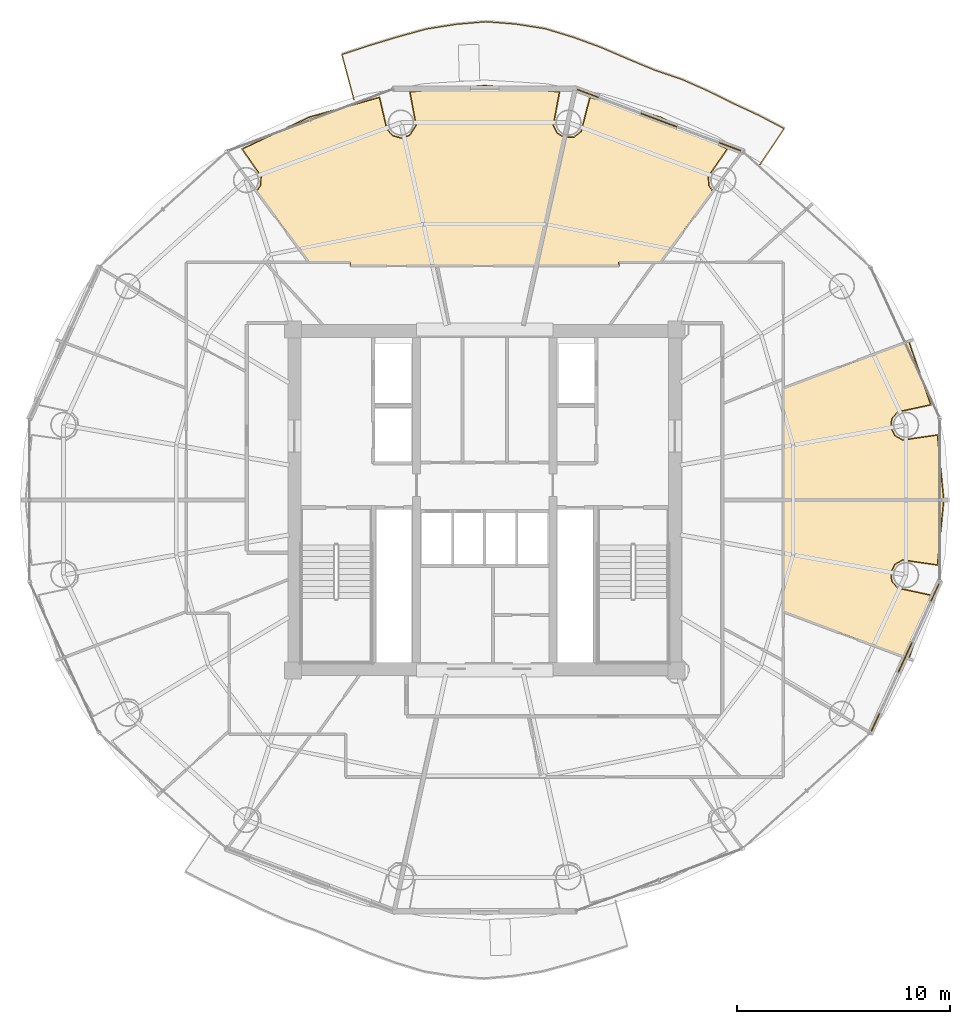
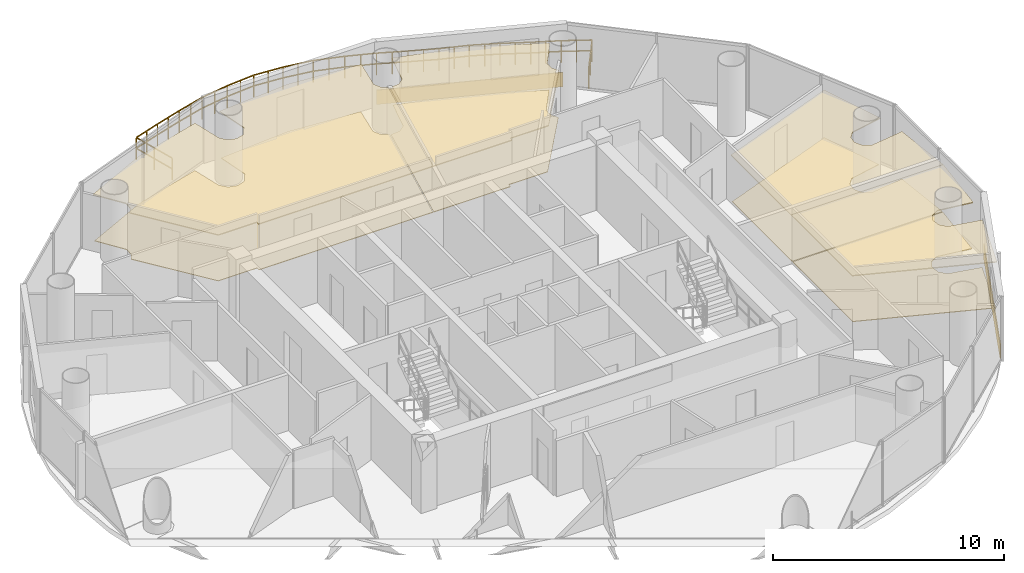
# One storey, part 26 of 26: 10 coverings, 1 railing.
"""IFC4 building model written with IfcOpenShell, lengths in metres."""

import ifcopenshell
import ifcopenshell.guid

model = None  # the IFC model being written
_history = None  # IfcOwnerHistory: only IFC2X3 demands one
_inside = {}  # id of a spatial element -> (the spatial element, [elements in it])
_under = {}  # id of a project, library or spatial element -> (it, [spatial elements below it])
_declared = {}  # id of a project -> (the project, [libraries it declares])
_typed = {}  # id of a type object -> (the type object, [elements of that type])
_made_of = {}  # id of a material, layer set ... -> (it, [elements and type objects made of it])


def new_model(schema):
    """Start an empty IFC model of exactly this schema.

    Asked for "IFC4X3", IfcOpenShell would pick the latest addendum, in which some entities
    have other attributes; the version numbers below select the first issue.
    IFC2X3 requires an IfcOwnerHistory on every rooted entity: one is made here for all.
    """
    global model, _history
    if schema == "IFC4X3":
        model = ifcopenshell.file(schema_version=(4, 3, 0, 0))
    else:
        model = ifcopenshell.file(schema=schema)
    _inside.clear()
    _under.clear()
    _declared.clear()
    _typed.clear()
    _made_of.clear()
    _history = None
    if model.schema == "IFC2X3":
        org = make("IfcOrganization", Name="unknown")
        user = make(
            "IfcPersonAndOrganization",
            ThePerson=make("IfcPerson", FamilyName="unknown"),
            TheOrganization=org,
        )
        app = make(
            "IfcApplication",
            ApplicationDeveloper=org,
            Version="unknown",
            ApplicationFullName="unknown",
            ApplicationIdentifier="unknown",
        )
        _history = make(
            "IfcOwnerHistory",
            OwningUser=user,
            OwningApplication=app,
            ChangeAction="ADDED",
            CreationDate=0,
        )
    return model


def make(cls, **values):
    """One entity of the class cls with the attributes given. An attribute that is None is left unset."""
    return model.create_entity(
        cls, **{name: value for name, value in values.items() if value is not None}
    )


def rooted(cls, **values):
    """An entity with a GlobalId (a new one), such as an element, a storey or a relation."""
    return make(cls, GlobalId=ifcopenshell.guid.new(), OwnerHistory=_history, **values)


def si_unit(unit_type, name, prefix=None):
    """IfcSIUnit, for example si_unit("LENGTHUNIT", "METRE", prefix="MILLI")."""
    return make("IfcSIUnit", UnitType=unit_type, Prefix=prefix, Name=name)


def assignment(units):
    """IfcUnitAssignment: the units of a project."""
    return None if units is None else make("IfcUnitAssignment", Units=units)


def point(xyz):
    """IfcCartesianPoint."""
    return None if xyz is None else make("IfcCartesianPoint", Coordinates=xyz)


def direction(xyz):
    """IfcDirection."""
    return None if xyz is None else make("IfcDirection", DirectionRatios=xyz)


def frame(location, z_axis=None, x_axis=None):
    """IfcAxis2Placement3D, a coordinate frame: its origin and axes. An axis left out is left unset."""
    return make(
        "IfcAxis2Placement3D",
        Location=point(location),
        Axis=direction(z_axis),
        RefDirection=direction(x_axis),
    )


def frame_2d(location, x_axis=None):
    """IfcAxis2Placement2D, a coordinate frame in the plane: its origin and x axis."""
    return make(
        "IfcAxis2Placement2D", Location=point(location), RefDirection=direction(x_axis)
    )


def origin():
    """The frame at (0, 0, 0) with its axes left unset."""
    return frame((0.0, 0.0, 0.0))


def origin_2d():
    """The frame at (0, 0) in the plane with its x axis left unset."""
    return frame_2d((0.0, 0.0))


def place(relative_to, where):
    """IfcLocalPlacement: puts the frame where relative to a parent placement (None: the world)."""
    return make(
        "IfcLocalPlacement", PlacementRelTo=relative_to, RelativePlacement=where
    )


def context(
    kind, dimensions, precision=None, world=None, true_north=None, identifier=None
):
    """IfcGeometricRepresentationContext, for example the 3D "Model" context."""
    return make(
        "IfcGeometricRepresentationContext",
        ContextIdentifier=identifier,
        ContextType=kind,
        CoordinateSpaceDimension=dimensions,
        Precision=precision,
        WorldCoordinateSystem=world,
        TrueNorth=true_north,
    )


def subcontext(parent, identifier, kind, view, scale=None):
    """IfcGeometricRepresentationSubContext, for example "Body" below "Model"."""
    return make(
        "IfcGeometricRepresentationSubContext",
        ContextIdentifier=identifier,
        ContextType=kind,
        ParentContext=parent,
        TargetScale=scale,
        TargetView=view,
    )


def project(units=None, contexts=None):
    """IfcProject with its units and contexts."""
    return rooted(
        "IfcProject",
        Name="project",
        RepresentationContexts=contexts,
        UnitsInContext=assignment(units),
    )


def spatial(cls, under=None, at=None, **own):
    """A site, building, storey or space (cls), placed at a placement, below another one or the project."""
    s = rooted(cls, ObjectPlacement=at, **own)
    if under is not None:
        _under.setdefault(under.id(), (under, []))[1].append(s)
    return s


def polyline(points):
    """IfcPolyline through the points."""
    return make("IfcPolyline", Points=[point(p) for p in points])


def profile(cls, at=None, kind="AREA", **sizes):
    """A parametric profile (cls). Its sizes go by their IFC names, for example OverallWidth=200.0."""
    return make(cls, ProfileType=kind, Position=at, **sizes)


def rectangle(**sizes):
    """IfcRectangleProfileDef."""
    return profile("IfcRectangleProfileDef", **sizes)


def outline(outer, holes=None, kind="AREA"):
    """IfcArbitraryClosedProfileDef: a profile drawn as a closed curve; with holes, ...WithVoids."""
    if holes is None:
        return make("IfcArbitraryClosedProfileDef", ProfileType=kind, OuterCurve=outer)
    return make(
        "IfcArbitraryProfileDefWithVoids",
        ProfileType=kind,
        OuterCurve=outer,
        InnerCurves=holes,
    )


def extrude(swept, where, along, depth):
    """IfcExtrudedAreaSolid: the profile swept, set in the frame where, extruded along a direction by depth."""
    return make(
        "IfcExtrudedAreaSolid",
        SweptArea=swept,
        Position=where,
        ExtrudedDirection=direction(along),
        Depth=depth,
    )


def shape(context_of_items, identifier, shape_type, items):
    """IfcShapeRepresentation: the items that make up one representation, for example the "Body"."""
    return make(
        "IfcShapeRepresentation",
        ContextOfItems=context_of_items,
        RepresentationIdentifier=identifier,
        RepresentationType=shape_type,
        Items=items,
    )


def source(mapping_origin, context_of_items, identifier, shape_type, items):
    """IfcRepresentationMap: a shape defined once, which mapped items show again and again."""
    return make(
        "IfcRepresentationMap",
        MappingOrigin=mapping_origin,
        MappedRepresentation=shape(context_of_items, identifier, shape_type, items),
    )


def transform(
    local_origin,
    x_axis=None,
    y_axis=None,
    z_axis=None,
    scale=None,
    scale2=None,
    scale3=None,
    uniform=True,
):
    """IfcCartesianTransformationOperator3D, or its non-uniform kind. x_axis, y_axis, z_axis: its Axis1, 2, 3."""
    if uniform:
        return make(
            "IfcCartesianTransformationOperator3D",
            Axis1=direction(x_axis),
            Axis2=direction(y_axis),
            LocalOrigin=point(local_origin),
            Scale=scale,
            Axis3=direction(z_axis),
        )
    return make(
        "IfcCartesianTransformationOperator3DnonUniform",
        Axis1=direction(x_axis),
        Axis2=direction(y_axis),
        LocalOrigin=point(local_origin),
        Scale=scale,
        Axis3=direction(z_axis),
        Scale2=scale2,
        Scale3=scale3,
    )


def mapped(mapping_source, mapping_target):
    """IfcMappedItem: shows the shape of a source again, moved by a transform."""
    return make(
        "IfcMappedItem", MappingSource=mapping_source, MappingTarget=mapping_target
    )


def material(Name=None, Category=None):
    """IfcMaterial."""
    return make("IfcMaterial", Name=Name, Category=Category)


def layer(
    of_material, thickness, ventilated=None, Name=None, Category=None, Priority=None
):
    """IfcMaterialLayer: one layer of a wall or slab, of a material (None: an air gap)."""
    return make(
        "IfcMaterialLayer",
        Material=of_material,
        LayerThickness=thickness,
        IsVentilated=ventilated,
        Name=Name,
        Category=Category,
        Priority=Priority,
    )


def layer_set(layers, Name=None):
    """IfcMaterialLayerSet."""
    return make("IfcMaterialLayerSet", MaterialLayers=layers, LayerSetName=Name)


def made_of(thing, what):
    """Note that an element or type object is made of a material, layer set ...; save() writes the relation."""
    if what is not None:
        _made_of.setdefault(what.id(), (what, []))[1].append(thing)
    return thing


def type_object(cls, material=None, **own):
    """A type object (cls), such as IfcWallType, which elements share."""
    return made_of(rooted(cls, **own), material)


def element(
    cls,
    number,
    at=None,
    inside=None,
    cuts=None,
    type_object=None,
    material=None,
    context=None,
    identifier="Body",
    shape_type=None,
    held_by="IfcProductDefinitionShape",
    body=None,
    shapes=None,
    **own,
):
    """One element of the class cls, such as IfcWall. Its Tag is "e" and its number.

    at: its placement. inside: the storey or other place that contains it. cuts: it is an
    opening in that element (IfcRelVoidsElement). A single representation is given by context,
    identifier, shape_type and body (its items); several are given by shapes. held_by: the class
    of the entity that holds the representations. save() writes the other relations.
    """
    e = rooted(cls, Tag="e%d" % number, ObjectPlacement=at, **own)
    if body is not None:
        shapes = [shape(context, identifier, shape_type, body)]
    if shapes is not None:
        e.Representation = make(held_by, Representations=shapes)
    if inside is not None:
        _inside.setdefault(inside.id(), (inside, []))[1].append(e)
    if cuts is not None:
        rooted(
            "IfcRelVoidsElement", RelatingBuildingElement=cuts, RelatedOpeningElement=e
        )
    if type_object is not None:
        _typed.setdefault(type_object.id(), (type_object, []))[1].append(e)
    return made_of(e, material)


def aggregate(whole, parts):
    """IfcRelAggregates: a whole, such as a stair, and the parts it consists of."""
    return rooted("IfcRelAggregates", RelatingObject=whole, RelatedObjects=parts)


def save(model, path):
    """Write the relations noted so far, then the file.

    IfcRelAggregates (storeys below a building ...), IfcRelContainedInSpatialStructure (elements
    in a storey), IfcRelDefinesByType, IfcRelAssociatesMaterial and IfcRelDeclares: one each for
    every whole, place, type object, material and project.
    """
    for whole, parts in _under.values():
        aggregate(whole, parts)
    for where, things in _inside.values():
        rooted(
            "IfcRelContainedInSpatialStructure",
            RelatedElements=things,
            RelatingStructure=where,
        )
    for kind, things in _typed.values():
        rooted("IfcRelDefinesByType", RelatedObjects=things, RelatingType=kind)
    for what, things in _made_of.values():
        rooted("IfcRelAssociatesMaterial", RelatedObjects=things, RelatingMaterial=what)
    for by, libraries in _declared.values():
        rooted("IfcRelDeclares", RelatingContext=by, RelatedDefinitions=libraries)
    model.write(path)


model = new_model("IFC4")

# Units and contexts
model_context = context("Model", 3, precision=1e-05, world=origin(), true_north=direction((-0.2419218956, 0.970295726276)))
body_context = subcontext(model_context, "Body", "Model", "MODEL_VIEW")
ifc_project = project(units=[si_unit("LENGTHUNIT", "METRE"), si_unit("AREAUNIT", "SQUARE_METRE"), si_unit("VOLUMEUNIT", "CUBIC_METRE"), si_unit("PLANEANGLEUNIT", "RADIAN"), si_unit("MASSUNIT", "GRAM", prefix="KILO")], contexts=[model_context])

# Site, building, storey
site_placement = place(None, origin())
site = spatial("IfcSite", under=ifc_project, at=site_placement, CompositionType="ELEMENT")
building_placement = place(site_placement, origin())
building = spatial("IfcBuilding", under=site, at=building_placement, Name="Cobrevalo Terracotta Tower", CompositionType="ELEMENT")
storey_placement = place(building_placement, frame((0.0, 0.0, 220.800048828125)))
storey = spatial("IfcBuildingStorey", under=building, at=storey_placement, Name="L58", CompositionType="ELEMENT", Elevation=220.800048828125)

# Railing
ifc_material_1 = material(Name="Laminated structural glass and stainless steel", Category="steel")
railing_type = type_object("IfcRailingType", Name="Balcony lobe structural glass & terracotta-cap balustrade 1180 mm", PredefinedType="BALUSTRADE", material=ifc_material_1)
railing_placement = place(storey_placement, frame((50.919921875, 42.536865234375, 0.0)))
element("IfcRailing", 1, at=railing_placement, inside=storey, type_object=railing_type, Name="L58 spiralling balcony lobe balustrade 1", PredefinedType="BALUSTRADE", context=body_context, shape_type="SweptSolid", body=[
    extrude(rectangle(XDim=0.048095703125, YDim=0.048095703125, at=origin_2d()), frame((0.0, 0.0, 1.15576171875), z_axis=(0.557143606255, 0.830416161939, 0.0), x_axis=(-0.830416161939, 0.557143606255, 0.0)), (0.0, 0.0, 1.0), 2.027099609375),
    extrude(rectangle(XDim=0.048095703125, YDim=0.048095703125, at=origin_2d()), frame((0.0, 0.0, 0.58984375), z_axis=(0.557143606255, 0.830416161939, 0.0), x_axis=(-0.830416161939, 0.557143606255, 0.0)), (0.0, 0.0, 1.0), 2.027099609375),
    extrude(rectangle(XDim=0.048095703125, YDim=0.048095703125, at=origin_2d()), frame((1.12939453125, 1.683349609375, 1.15576171875), z_axis=(-0.885347007024, 0.464930830504, 0.0), x_axis=(-0.464930830504, -0.885347007024, 0.0)), (0.0, 0.0, 1.0), 1.332763671875),
    extrude(rectangle(XDim=0.048095703125, YDim=0.048095703125, at=origin_2d()), frame((1.12939453125, 1.683349609375, 0.58984375), z_axis=(-0.885347007024, 0.464930830504, 0.0), x_axis=(-0.464930830504, -0.885347007024, 0.0)), (0.0, 0.0, 1.0), 1.332763671875),
    extrude(rectangle(XDim=0.048095703125, YDim=0.048095703125, at=origin_2d()), frame((-0.050537109375, 2.302978515625, 1.15576171875), z_axis=(-0.907511143291, 0.420028004785, 0.0), x_axis=(-0.420028004785, -0.907511143291, 0.0)), (0.0, 0.0, 1.0), 1.32470703125),
    extrude(rectangle(XDim=0.048095703125, YDim=0.048095703125, at=origin_2d()), frame((-0.050537109375, 2.302978515625, 0.58984375), z_axis=(-0.907511143291, 0.420028004785, 0.0), x_axis=(-0.420028004785, -0.907511143291, 0.0)), (0.0, 0.0, 1.0), 1.32470703125),
    extrude(rectangle(XDim=0.048095703125, YDim=0.048095703125, at=origin_2d()), frame((-1.252685546875, 2.859375, 1.15576171875), z_axis=(-0.895707541297, 0.444643678088, 0.0), x_axis=(-0.444643678088, -0.895707541297, 0.0)), (0.0, 0.0, 1.0), 1.3310546875),
    extrude(rectangle(XDim=0.048095703125, YDim=0.048095703125, at=origin_2d()), frame((-1.252685546875, 2.859375, 0.58984375), z_axis=(-0.895707541297, 0.444643678088, 0.0), x_axis=(-0.444643678088, -0.895707541297, 0.0)), (0.0, 0.0, 1.0), 1.3310546875),
    extrude(rectangle(XDim=0.048095703125, YDim=0.048095703125, at=origin_2d()), frame((-2.44482421875, 3.451171875, 1.15576171875), z_axis=(-0.914143770919, 0.405390140592, 0.0), x_axis=(-0.405390140592, -0.914143770919, 0.0)), (0.0, 0.0, 1.0), 1.33203125),
    extrude(rectangle(XDim=0.048095703125, YDim=0.048095703125, at=origin_2d()), frame((-2.44482421875, 3.451171875, 0.58984375), z_axis=(-0.914143770919, 0.405390140592, 0.0), x_axis=(-0.405390140592, -0.914143770919, 0.0)), (0.0, 0.0, 1.0), 1.33203125),
    extrude(rectangle(XDim=0.048095703125, YDim=0.048095703125, at=origin_2d()), frame((-3.66259765625, 3.9912109375, 1.15576171875), z_axis=(-0.946563386499, 0.322517837243, 0.0), x_axis=(-0.322517837243, -0.946563386499, 0.0)), (0.0, 0.0, 1.0), 1.337646484375),
    extrude(rectangle(XDim=0.048095703125, YDim=0.048095703125, at=origin_2d()), frame((-3.66259765625, 3.9912109375, 0.58984375), z_axis=(-0.946563386499, 0.322517837243, 0.0), x_axis=(-0.322517837243, -0.946563386499, 0.0)), (0.0, 0.0, 1.0), 1.337646484375),
    extrude(rectangle(XDim=0.048095703125, YDim=0.048095703125, at=origin_2d()), frame((-4.9287109375, 4.422607421875, 1.15576171875), z_axis=(-0.923950812475, 0.382511301959, 0.0), x_axis=(-0.382511301959, -0.923950812475, 0.0)), (0.0, 0.0, 1.0), 1.351806640625),
    extrude(rectangle(XDim=0.048095703125, YDim=0.048095703125, at=origin_2d()), frame((-4.9287109375, 4.422607421875, 0.58984375), z_axis=(-0.923950812475, 0.382511301959, 0.0), x_axis=(-0.382511301959, -0.923950812475, 0.0)), (0.0, 0.0, 1.0), 1.351806640625),
    extrude(rectangle(XDim=0.048095703125, YDim=0.048095703125, at=origin_2d()), frame((-6.177734375, 4.939697265625, 1.15576171875), z_axis=(-0.918223877995, 0.396061750083, 0.0), x_axis=(-0.396061750083, -0.918223877995, 0.0)), (0.0, 0.0, 1.0), 1.37451171875),
    extrude(rectangle(XDim=0.048095703125, YDim=0.048095703125, at=origin_2d()), frame((-6.177734375, 4.939697265625, 0.58984375), z_axis=(-0.918223877995, 0.396061750083, 0.0), x_axis=(-0.396061750083, -0.918223877995, 0.0)), (0.0, 0.0, 1.0), 1.37451171875),
    extrude(rectangle(XDim=0.048095703125, YDim=0.048095703125, at=origin_2d()), frame((-7.43994140625, 5.484130859375, 1.15576171875), z_axis=(-0.938770483649, 0.344543145381, 0.0), x_axis=(-0.344543145381, -0.938770483649, 0.0)), (0.0, 0.0, 1.0), 1.392333984375),
    extrude(rectangle(XDim=0.048095703125, YDim=0.048095703125, at=origin_2d()), frame((-7.43994140625, 5.484130859375, 0.58984375), z_axis=(-0.938770483649, 0.344543145381, 0.0), x_axis=(-0.344543145381, -0.938770483649, 0.0)), (0.0, 0.0, 1.0), 1.392333984375),
    extrude(rectangle(XDim=0.048095703125, YDim=0.048095703125, at=origin_2d()), frame((-8.7470703125, 5.9638671875, 1.15576171875), z_axis=(-0.956517685268, 0.291674335122, 0.0), x_axis=(-0.291674335122, -0.956517685268, 0.0)), (0.0, 0.0, 1.0), 1.402099609375),
    extrude(rectangle(XDim=0.048095703125, YDim=0.048095703125, at=origin_2d()), frame((-8.7470703125, 5.9638671875, 0.58984375), z_axis=(-0.956517685268, 0.291674335122, 0.0), x_axis=(-0.291674335122, -0.956517685268, 0.0)), (0.0, 0.0, 1.0), 1.402099609375),
    extrude(rectangle(XDim=0.048095703125, YDim=0.048095703125, at=origin_2d()), frame((-10.088134765625, 6.372802734375, 1.15576171875), z_axis=(-0.987784155412, 0.155828310383, 0.0), x_axis=(-0.155828310383, -0.987784155412, 0.0)), (0.0, 0.0, 1.0), 1.400634765625),
    extrude(rectangle(XDim=0.048095703125, YDim=0.048095703125, at=origin_2d()), frame((-10.088134765625, 6.372802734375, 0.58984375), z_axis=(-0.987784155412, 0.155828310383, 0.0), x_axis=(-0.155828310383, -0.987784155412, 0.0)), (0.0, 0.0, 1.0), 1.400634765625),
    extrude(rectangle(XDim=0.048095703125, YDim=0.048095703125, at=origin_2d()), frame((-11.4716796875, 6.591064453125, 1.15576171875), z_axis=(-0.996952202907, 0.078014775005, 0.0), x_axis=(-0.078014775005, -0.996952202907, 0.0)), (0.0, 0.0, 1.0), 1.402099609375),
    extrude(rectangle(XDim=0.048095703125, YDim=0.048095703125, at=origin_2d()), frame((-11.4716796875, 6.591064453125, 0.58984375), z_axis=(-0.996952202907, 0.078014775005, 0.0), x_axis=(-0.078014775005, -0.996952202907, 0.0)), (0.0, 0.0, 1.0), 1.402099609375),
    extrude(rectangle(XDim=0.048095703125, YDim=0.048095703125, at=origin_2d()), frame((-12.869384765625, 6.700439453125, 1.15576171875), z_axis=(-0.996234052308, -0.086704746251, 0.0), x_axis=(0.086704746251, -0.996234052308, 0.0)), (0.0, 0.0, 1.0), 1.40234375),
    extrude(rectangle(XDim=0.048095703125, YDim=0.048095703125, at=origin_2d()), frame((-12.869384765625, 6.700439453125, 0.58984375), z_axis=(-0.996234052308, -0.086704746251, 0.0), x_axis=(0.086704746251, -0.996234052308, 0.0)), (0.0, 0.0, 1.0), 1.40234375),
    extrude(rectangle(XDim=0.048095703125, YDim=0.048095703125, at=origin_2d()), frame((-14.266357421875, 6.578857421875, 1.15576171875), z_axis=(-0.987609803782, -0.156929523906, 0.0), x_axis=(0.156929523906, -0.987609803782, 0.0)), (0.0, 0.0, 1.0), 1.400146484375),
    extrude(rectangle(XDim=0.048095703125, YDim=0.048095703125, at=origin_2d()), frame((-14.266357421875, 6.578857421875, 0.58984375), z_axis=(-0.987609803782, -0.156929523906, 0.0), x_axis=(0.156929523906, -0.987609803782, 0.0)), (0.0, 0.0, 1.0), 1.400146484375),
    extrude(rectangle(XDim=0.048095703125, YDim=0.048095703125, at=origin_2d()), frame((-15.649169921875, 6.359130859375, 1.15576171875), z_axis=(-0.964347142849, -0.264640488358, 0.0), x_axis=(0.264640488358, -0.964347142849, 0.0)), (0.0, 0.0, 1.0), 1.396728515625),
    extrude(rectangle(XDim=0.048095703125, YDim=0.048095703125, at=origin_2d()), frame((-15.649169921875, 6.359130859375, 0.58984375), z_axis=(-0.964347142849, -0.264640488358, 0.0), x_axis=(0.264640488358, -0.964347142849, 0.0)), (0.0, 0.0, 1.0), 1.396728515625),
    extrude(rectangle(XDim=0.048095703125, YDim=0.048095703125, at=origin_2d()), frame((-16.99609375, 5.989501953125, 1.15576171875), z_axis=(-0.956889329477, -0.290452769194, 0.0), x_axis=(0.290452769194, -0.956889329477, 0.0)), (0.0, 0.0, 1.0), 1.38427734375),
    extrude(rectangle(XDim=0.048095703125, YDim=0.048095703125, at=origin_2d()), frame((-16.99609375, 5.989501953125, 0.58984375), z_axis=(-0.956889329477, -0.290452769194, 0.0), x_axis=(0.290452769194, -0.956889329477, 0.0)), (0.0, 0.0, 1.0), 1.38427734375),
    extrude(rectangle(XDim=0.048095703125, YDim=0.048095703125, at=origin_2d()), frame((-18.32080078125, 5.58740234375, 1.15576171875), z_axis=(-0.950558156622, -0.310546600173, 0.0), x_axis=(0.310546600173, -0.950558156622, 0.0)), (0.0, 0.0, 1.0), 1.367919921875),
    extrude(rectangle(XDim=0.048095703125, YDim=0.048095703125, at=origin_2d()), frame((-18.32080078125, 5.58740234375, 0.58984375), z_axis=(-0.950558156622, -0.310546600173, 0.0), x_axis=(0.310546600173, -0.950558156622, 0.0)), (0.0, 0.0, 1.0), 1.367919921875),
    extrude(rectangle(XDim=0.048095703125, YDim=0.048095703125, at=origin_2d()), frame((-19.62109375, 5.16259765625, 1.15576171875), z_axis=(0.257898494353, -0.966172017091, 0.0), x_axis=(0.966172017091, 0.257898494353, 0.0)), (0.0, 0.0, 1.0), 2.190673828125),
    extrude(rectangle(XDim=0.048095703125, YDim=0.048095703125, at=origin_2d()), frame((-19.62109375, 5.16259765625, 0.58984375), z_axis=(0.257898494353, -0.966172017091, 0.0), x_axis=(0.966172017091, 0.257898494353, 0.0)), (0.0, 0.0, 1.0), 2.190673828125),
    extrude(rectangle(XDim=0.0419921875, YDim=0.0419921875, at=origin_2d()), origin(), (0.0, 0.0, 1.0), 1.1318359375),
    extrude(rectangle(XDim=0.0419921875, YDim=0.0419921875, at=origin_2d()), frame((0.564697265625, 0.841796875, 0.0)), (0.0, 0.0, 1.0), 1.1318359375),
    extrude(rectangle(XDim=0.0419921875, YDim=0.0419921875, at=origin_2d()), frame((1.12939453125, 1.683349609375, 0.0)), (0.0, 0.0, 1.0), 1.1318359375),
    extrude(rectangle(XDim=0.0419921875, YDim=0.0419921875, at=origin_2d()), frame((0.53955078125, 1.9931640625, 0.0)), (0.0, 0.0, 1.0), 1.1318359375),
    extrude(rectangle(XDim=0.0419921875, YDim=0.0419921875, at=origin_2d()), frame((-0.050537109375, 2.302978515625, 0.0)), (0.0, 0.0, 1.0), 1.1318359375),
    extrude(rectangle(XDim=0.0419921875, YDim=0.0419921875, at=origin_2d()), frame((-0.651611328125, 2.5810546875, 0.0)), (0.0, 0.0, 1.0), 1.1318359375),
    extrude(rectangle(XDim=0.0419921875, YDim=0.0419921875, at=origin_2d()), frame((-1.252685546875, 2.859375, 0.0)), (0.0, 0.0, 1.0), 1.1318359375),
    extrude(rectangle(XDim=0.0419921875, YDim=0.0419921875, at=origin_2d()), frame((-1.8486328125, 3.1552734375, 0.0)), (0.0, 0.0, 1.0), 1.1318359375),
    extrude(rectangle(XDim=0.0419921875, YDim=0.0419921875, at=origin_2d()), frame((-2.44482421875, 3.451171875, 0.0)), (0.0, 0.0, 1.0), 1.1318359375),
    extrude(rectangle(XDim=0.0419921875, YDim=0.0419921875, at=origin_2d()), frame((-3.0537109375, 3.72119140625, 0.0)), (0.0, 0.0, 1.0), 1.1318359375),
    extrude(rectangle(XDim=0.0419921875, YDim=0.0419921875, at=origin_2d()), frame((-3.66259765625, 3.9912109375, 0.0)), (0.0, 0.0, 1.0), 1.1318359375),
    extrude(rectangle(XDim=0.0419921875, YDim=0.0419921875, at=origin_2d()), frame((-4.295654296875, 4.20703125, 0.0)), (0.0, 0.0, 1.0), 1.1318359375),
    extrude(rectangle(XDim=0.0419921875, YDim=0.0419921875, at=origin_2d()), frame((-4.9287109375, 4.422607421875, 0.0)), (0.0, 0.0, 1.0), 1.1318359375),
    extrude(rectangle(XDim=0.0419921875, YDim=0.0419921875, at=origin_2d()), frame((-5.55322265625, 4.68115234375, 0.0)), (0.0, 0.0, 1.0), 1.1318359375),
    extrude(rectangle(XDim=0.0419921875, YDim=0.0419921875, at=origin_2d()), frame((-6.177734375, 4.939697265625, 0.0)), (0.0, 0.0, 1.0), 1.1318359375),
    extrude(rectangle(XDim=0.0419921875, YDim=0.0419921875, at=origin_2d()), frame((-6.808837890625, 5.2119140625, 0.0)), (0.0, 0.0, 1.0), 1.1318359375),
    extrude(rectangle(XDim=0.0419921875, YDim=0.0419921875, at=origin_2d()), frame((-7.43994140625, 5.484130859375, 0.0)), (0.0, 0.0, 1.0), 1.1318359375),
    extrude(rectangle(XDim=0.0419921875, YDim=0.0419921875, at=origin_2d()), frame((-8.093505859375, 5.72412109375, 0.0)), (0.0, 0.0, 1.0), 1.1318359375),
    extrude(rectangle(XDim=0.0419921875, YDim=0.0419921875, at=origin_2d()), frame((-8.7470703125, 5.9638671875, 0.0)), (0.0, 0.0, 1.0), 1.1318359375),
    extrude(rectangle(XDim=0.0419921875, YDim=0.0419921875, at=origin_2d()), frame((-9.41748046875, 6.16845703125, 0.0)), (0.0, 0.0, 1.0), 1.1318359375),
    extrude(rectangle(XDim=0.0419921875, YDim=0.0419921875, at=origin_2d()), frame((-10.088134765625, 6.372802734375, 0.0)), (0.0, 0.0, 1.0), 1.1318359375),
    extrude(rectangle(XDim=0.0419921875, YDim=0.0419921875, at=origin_2d()), frame((-10.77978515625, 6.48193359375, 0.0)), (0.0, 0.0, 1.0), 1.1318359375),
    extrude(rectangle(XDim=0.0419921875, YDim=0.0419921875, at=origin_2d()), frame((-11.4716796875, 6.591064453125, 0.0)), (0.0, 0.0, 1.0), 1.1318359375),
    extrude(rectangle(XDim=0.0419921875, YDim=0.0419921875, at=origin_2d()), frame((-12.17041015625, 6.645751953125, 0.0)), (0.0, 0.0, 1.0), 1.1318359375),
    extrude(rectangle(XDim=0.0419921875, YDim=0.0419921875, at=origin_2d()), frame((-12.869384765625, 6.700439453125, 0.0)), (0.0, 0.0, 1.0), 1.1318359375),
    extrude(rectangle(XDim=0.0419921875, YDim=0.0419921875, at=origin_2d()), frame((-13.56787109375, 6.6396484375, 0.0)), (0.0, 0.0, 1.0), 1.1318359375),
    extrude(rectangle(XDim=0.0419921875, YDim=0.0419921875, at=origin_2d()), frame((-14.266357421875, 6.578857421875, 0.0)), (0.0, 0.0, 1.0), 1.1318359375),
    extrude(rectangle(XDim=0.0419921875, YDim=0.0419921875, at=origin_2d()), frame((-14.957763671875, 6.468994140625, 0.0)), (0.0, 0.0, 1.0), 1.1318359375),
    extrude(rectangle(XDim=0.0419921875, YDim=0.0419921875, at=origin_2d()), frame((-15.649169921875, 6.359130859375, 0.0)), (0.0, 0.0, 1.0), 1.1318359375),
    extrude(rectangle(XDim=0.0419921875, YDim=0.0419921875, at=origin_2d()), frame((-16.32275390625, 6.17431640625, 0.0)), (0.0, 0.0, 1.0), 1.1318359375),
    extrude(rectangle(XDim=0.0419921875, YDim=0.0419921875, at=origin_2d()), frame((-16.99609375, 5.989501953125, 0.0)), (0.0, 0.0, 1.0), 1.1318359375),
    extrude(rectangle(XDim=0.0419921875, YDim=0.0419921875, at=origin_2d()), frame((-17.658447265625, 5.78857421875, 0.0)), (0.0, 0.0, 1.0), 1.1318359375),
    extrude(rectangle(XDim=0.0419921875, YDim=0.0419921875, at=origin_2d()), frame((-18.32080078125, 5.58740234375, 0.0)), (0.0, 0.0, 1.0), 1.1318359375),
    extrude(rectangle(XDim=0.0419921875, YDim=0.0419921875, at=origin_2d()), frame((-18.970947265625, 5.375, 0.0)), (0.0, 0.0, 1.0), 1.1318359375),
    extrude(rectangle(XDim=0.0419921875, YDim=0.0419921875, at=origin_2d()), frame((-19.62109375, 5.16259765625, 0.0)), (0.0, 0.0, 1.0), 1.1318359375),
    extrude(rectangle(XDim=0.0419921875, YDim=0.0419921875, at=origin_2d()), frame((-19.338623046875, 4.1044921875, 0.0)), (0.0, 0.0, 1.0), 1.1318359375),
    extrude(rectangle(XDim=0.0419921875, YDim=0.0419921875, at=origin_2d()), frame((-19.05615234375, 3.046142578125, 0.0)), (0.0, 0.0, 1.0), 1.1318359375),
])

# Coverings
ifc_material_2 = material(Name="Engineered Brazilian hardwood flooring", Category="wood")
ifc_layer_1 = layer(ifc_material_2, 0.028076171875)
ifc_layer_set_1 = layer_set([ifc_layer_1], Name="Engineered Brazilian hardwood flooring")
covering_type_1 = type_object("IfcCoveringType", Name="Engineered Hardwood Suite Flooring 28", PredefinedType="FLOORING", material=ifc_layer_set_1)
covering_1_placement = place(storey_placement, origin())
element("IfcCovering", 2, at=covering_1_placement, inside=storey, type_object=covering_type_1, Name="Flat L58A Living and Dining Room floor finish", PredefinedType="FLOORING", context=body_context, shape_type="SweptSolid", body=[
    extrude(outline(polyline([(57.885498046875, 34.221923828125), (58.90771484375, 31.277099609375), (57.364013671875, 30.94482421875), (57.0849609375, 30.6181640625), (57.0341796875, 30.191650390625), (57.229248046875, 29.80859375), (57.60400390625, 29.5986328125), (59.2265625, 29.83056640625), (59.5185546875, 26.820068359375), (52.014892578125, 26.820068359375), (52.014892578125, 32.024658203125), (57.885498046875, 34.221923828125)])), origin(), (0.0, 0.0, 1.0), 0.030029296875),
])
covering_2_placement = place(storey_placement, origin())
element("IfcCovering", 3, at=covering_2_placement, inside=storey, type_object=covering_type_1, Name="Flat L58A Principal Guest Bedroom floor finish", PredefinedType="FLOORING", context=body_context, shape_type="SweptSolid", body=[
    extrude(outline(polyline([(49.3544921875, 43.259765625), (48.477294921875, 41.98974609375), (48.497314453125, 41.560546875), (48.681396484375, 41.279541015625), (46.23046875, 37.965087890625), (44.284912109375, 37.965087890625), (44.284912109375, 37.804931640625), (40.44287109375, 37.804931640625), (41.759765625, 43.78759765625), (42.198974609375, 43.813232421875), (42.537109375, 44.078369140625), (42.9482421875, 45.669921875), (46.236083984375, 44.741455078125), (49.3544921875, 43.259765625)])), origin(), (0.0, 0.0, 1.0), 0.030029296875),
])
covering_3_placement = place(storey_placement, origin())
element("IfcCovering", 4, at=covering_3_placement, inside=storey, type_object=covering_type_1, Name="Flat L58B Penthouse Living and Dining Room floor finish", PredefinedType="FLOORING", context=body_context, shape_type="SweptSolid", body=[
    extrude(outline(polyline([(29.763916015625, 44.741455078125), (33.0517578125, 45.669921875), (33.3916015625, 44.204833984375), (33.67138671875, 43.87890625), (34.08544921875, 43.76318359375), (34.49365234375, 43.89697265625), (34.7978515625, 44.375), (34.509765625, 45.931640625), (38.0, 46.219970703125), (41.490234375, 45.931640625), (41.2021484375, 44.375), (41.396240234375, 43.991455078125), (41.720947265625, 43.797119140625), (40.40185546875, 37.804931640625), (31.715087890625, 37.804931640625), (31.715087890625, 37.965087890625), (29.76953125, 37.965087890625), (27.318603515625, 41.279541015625), (27.502685546875, 41.560546875), (27.522705078125, 41.98974609375), (26.6455078125, 43.259765625), (29.763916015625, 44.741455078125)])), origin(), (0.0, 0.0, 1.0), 0.030029296875),
])
covering_4_placement = place(storey_placement, origin())
element("IfcCovering", 5, at=covering_4_placement, inside=storey, type_object=covering_type_1, Name="Flat L58D Penthouse Family Lounge floor finish", PredefinedType="FLOORING", context=body_context, shape_type="SweptSolid", body=[
    extrude(outline(polyline([(52.014892578125, 21.575439453125), (52.014892578125, 26.780029296875), (59.5185546875, 26.780029296875), (59.2265625, 23.76953125), (57.60400390625, 24.00146484375), (57.229248046875, 23.791259765625), (57.0341796875, 23.408447265625), (57.0849609375, 22.981689453125), (57.364013671875, 22.655029296875), (58.90771484375, 22.322998046875), (57.885498046875, 19.3779296875), (52.014892578125, 21.575439453125)])), origin(), (0.0, 0.0, 1.0), 0.030029296875),
])
ifc_material_3 = material(Name="Acoustic perforated gypsum ceiling", Category="gypsum")
ifc_layer_2 = layer(ifc_material_3, 0.050048828125)
ifc_layer_set_2 = layer_set([ifc_layer_2], Name="Acoustic perforated gypsum ceiling")
covering_type_2 = type_object("IfcCoveringType", Name="Perforated Acoustic Gypsum Ceiling 50", PredefinedType="CEILING", material=ifc_layer_set_2)
covering_5_placement = place(storey_placement, frame((0.0, 0.0, 2.445068359375)))
element("IfcCovering", 6, at=covering_5_placement, inside=storey, type_object=covering_type_2, Name="Flat L58A Living and Dining Room acoustic ceiling", PredefinedType="CEILING", context=body_context, shape_type="SweptSolid", body=[
    extrude(outline(polyline([(57.911865234375, 34.280029296875), (58.961669921875, 31.240966796875), (57.388427734375, 30.90673828125), (57.126220703125, 30.60009765625), (57.07861328125, 30.199462890625), (57.26171875, 29.83984375), (57.613525390625, 29.642578125), (59.26123046875, 29.88232421875), (59.56689453125, 26.77490234375), (51.969970703125, 26.77490234375), (51.969970703125, 32.055908203125), (57.911865234375, 34.280029296875)])), origin(), (0.0, 0.0, 1.0), 0.0498046875),
])
covering_6_placement = place(storey_placement, frame((0.0, 0.0, 2.445068359375)))
element("IfcCovering", 7, at=covering_6_placement, inside=storey, type_object=covering_type_2, Name="Flat L58A Principal Guest Bedroom acoustic ceiling", PredefinedType="CEILING", context=body_context, shape_type="SweptSolid", body=[
    extrude(outline(polyline([(49.420166015625, 43.272705078125), (48.521240234375, 41.978759765625), (48.539794921875, 41.57568359375), (48.74169921875, 41.285400390625), (46.253173828125, 37.919921875), (44.330078125, 37.919921875), (44.330078125, 37.760009765625), (40.386962890625, 37.760009765625), (41.724853515625, 43.838623046875), (42.1826171875, 43.85546875), (42.500244140625, 44.1044921875), (42.91357421875, 45.7216796875), (46.251708984375, 44.78369140625), (49.420166015625, 43.272705078125)])), origin(), (0.0, 0.0, 1.0), 0.0498046875),
])
covering_7_placement = place(storey_placement, frame((0.0, 0.0, 2.445068359375)))
element("IfcCovering", 8, at=covering_7_placement, inside=storey, type_object=covering_type_2, Name="Flat L58B Penthouse Living and Dining Room acoustic ceiling", PredefinedType="CEILING", context=body_context, shape_type="SweptSolid", body=[
    extrude(outline(polyline([(29.748291015625, 44.78369140625), (33.08642578125, 45.7216796875), (33.43310546875, 44.22314453125), (33.69580078125, 43.9169921875), (34.084228515625, 43.808349609375), (34.4677734375, 43.93408203125), (34.753173828125, 44.3828125), (34.455810546875, 45.967529296875), (38.0, 46.26513671875), (41.544189453125, 45.967529296875), (41.246826171875, 44.3828125), (41.428955078125, 44.02294921875), (41.7734375, 43.8271484375), (40.43798828125, 37.760009765625), (31.669921875, 37.760009765625), (31.669921875, 37.919921875), (29.746826171875, 37.919921875), (27.25830078125, 41.285400390625), (27.460205078125, 41.57568359375), (27.478759765625, 41.978759765625), (26.579833984375, 43.272705078125), (29.748291015625, 44.78369140625)])), origin(), (0.0, 0.0, 1.0), 0.0498046875),
])
covering_8_placement = place(storey_placement, frame((0.0, 0.0, 2.445068359375)))
element("IfcCovering", 9, at=covering_8_placement, inside=storey, type_object=covering_type_2, Name="Flat L58D Penthouse Family Lounge acoustic ceiling", PredefinedType="CEILING", context=body_context, shape_type="SweptSolid", body=[
    extrude(outline(polyline([(51.969970703125, 21.544189453125), (51.969970703125, 26.824951171875), (59.56689453125, 26.824951171875), (59.26123046875, 23.717529296875), (57.613525390625, 23.957275390625), (57.26171875, 23.760009765625), (57.07861328125, 23.400634765625), (57.126220703125, 23.0), (57.388427734375, 22.693359375), (58.961669921875, 22.359130859375), (57.911865234375, 19.320068359375), (51.969970703125, 21.544189453125)])), origin(), (0.0, 0.0, 1.0), 0.0498046875),
])
ifc_material_4 = material(Name="Glazed terracotta facade cladding tile", Category="masonry")
ifc_layer_3 = layer(ifc_material_4, 0.044921875)
ifc_layer_set_3 = layer_set([ifc_layer_3], Name="Glazed terracotta facade cladding tile")
covering_type_3 = type_object("IfcCoveringType", Name="Architectural terracotta rainscreen spandrel cladding 45 mm", PredefinedType="CLADDING", material=ifc_layer_set_3)
shared_shape_1 = source(origin(), body_context, "Body", "SweptSolid", [
    extrude(rectangle(XDim=7.60009765625, YDim=0.044921875, at=origin_2d()), origin(), (0.0, 0.0, 1.0), 0.760009765625),
])
covering_9_placement = place(storey_placement, frame((57.726318359375, 19.417236328125, 0.0400390625), z_axis=(0.0, 0.0, 1.0), x_axis=(0.416731425355, 0.909029657999, 0.0)))
element("IfcCovering", 10, at=covering_9_placement, inside=storey, type_object=covering_type_3, Name="L58 terracotta spandrel cladding S15", PredefinedType="CLADDING", context=body_context, shape_type="MappedRepresentation", body=[
    mapped(shared_shape_1, transform((0.0, 0.0, 0.0), scale=1.0)),
])
shared_shape_2 = source(origin(), body_context, "Body", "SweptSolid", [
    extrude(rectangle(XDim=8.17919921875, YDim=0.044921875, at=origin_2d()), origin(), (0.0, 0.0, 1.0), 0.760009765625),
])
covering_10_placement = place(storey_placement, frame((46.1708984375, 44.62353515625, 0.0400390625), z_axis=(0.0, 0.0, 1.0), x_axis=(-0.936557839879, 0.350513070458, 0.0)))
element("IfcCovering", 11, at=covering_10_placement, inside=storey, type_object=covering_type_3, Name="L58 terracotta spandrel cladding S03", PredefinedType="CLADDING", context=body_context, shape_type="MappedRepresentation", body=[
    mapped(shared_shape_2, transform((0.0, 0.0, 0.0), scale=1.0)),
])

save(model, "model.ifc")
